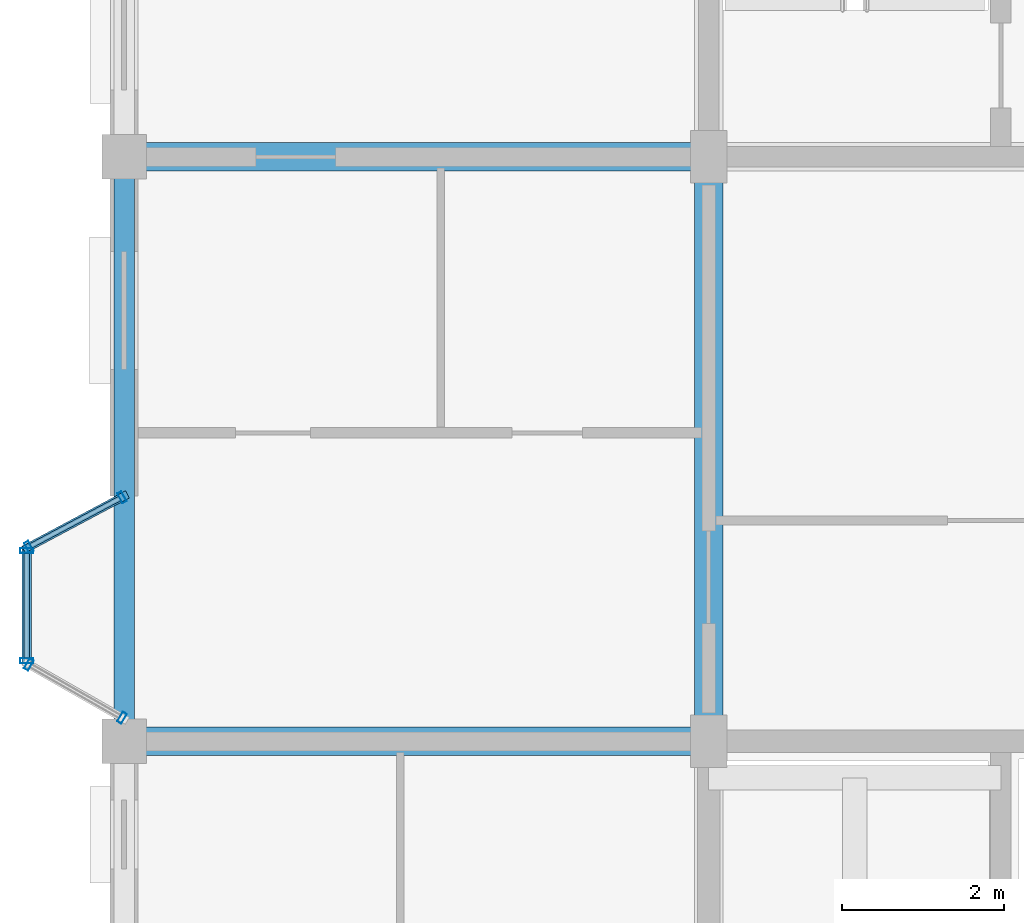
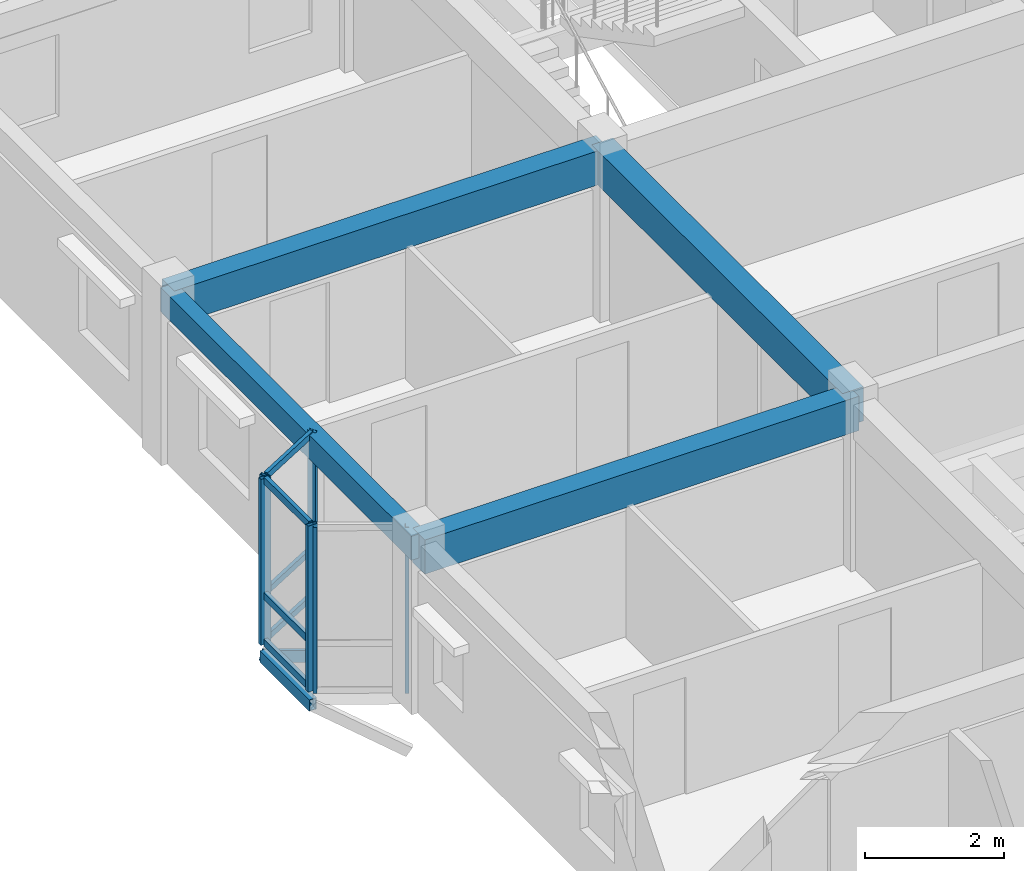
# One storey, part 17 of 75: 14 members, 4 beams, 3 elements without a shape of their own.
"""IFC4 building model written with IfcOpenShell, lengths in metres."""

from ifc_helpers import new_model, si_unit, direction, frame, origin, origin_2d, place, context, subcontext, project, spatial, rectangle, hollow_rectangle, extrude, material, layer, layer_set, material_profile, profile_set, type_object, element, aggregate, save


model = new_model("IFC4")

# Units and contexts
model_context = context("Model", 3, precision=1e-05, world=origin(), true_north=direction((0.0, 1.0)))
body_context = subcontext(model_context, "Body", "Model", "MODEL_VIEW")
ifc_project = project(units=[si_unit("LENGTHUNIT", "METRE"), si_unit("AREAUNIT", "SQUARE_METRE"), si_unit("VOLUMEUNIT", "CUBIC_METRE"), si_unit("PLANEANGLEUNIT", "RADIAN"), si_unit("MASSUNIT", "GRAM", prefix="KILO"), si_unit("THERMODYNAMICTEMPERATUREUNIT", "KELVIN"), si_unit("POWERUNIT", "WATT")], contexts=[model_context])

# Site, building, storey
site_placement = place(None, origin())
site = spatial("IfcSite", under=ifc_project, at=site_placement, CompositionType="ELEMENT")
building_placement = place(site_placement, origin())
building = spatial("IfcBuilding", under=site, at=building_placement, Name="Tavuni Mirador Residences", CompositionType="ELEMENT")
storey_placement = place(building_placement, frame((0.0, 0.0, 20.25)))
storey = spatial("IfcBuildingStorey", under=building, at=storey_placement, Name="L06", CompositionType="ELEMENT", Elevation=20.25)

# Beams
ifc_material_1 = material(Name="Precast concrete C40/50", Category="concrete")
ifc_material_profile_1 = material_profile(ifc_material_1, rectangle(XDim=0.35009765625, YDim=0.60009765625, at=origin_2d()), Name="PC 350x600", Category="concrete")
ifc_profile_set_1 = profile_set([ifc_material_profile_1], Name="Precast concrete C40/50")
beam_type_1 = type_object("IfcBeamType", Name="BT-B600", PredefinedType="BEAM", material=ifc_profile_set_1)
for number, where, z_axis, x_axis, name in (
    (1, (3.60009765625, 79.199951171875, 2.610107421875), (1.0, 0.0, 0.0), (0.0, 1.0, 0.0), "BMX-BLK-B-L06-00-02"),
    (2, (3.60009765625, 86.39990234375, 2.610107421875), (1.0, 0.0, 0.0), (0.0, 1.0, 0.0), "BMX-BLK-B-L06-00-03"),
    (3, (10.800048828125, 79.199951171875, 2.610107421875), (0.0, 1.0, 0.0), (-1.0, 0.0, 0.0), "BMY-BLK-B-L06-01-02"),
):
    element("IfcBeam", number, at=place(storey_placement, frame(where, z_axis=z_axis, x_axis=x_axis)), inside=storey, type_object=beam_type_1, Name=name, PredefinedType="BEAM", context=body_context, shape_type="SweptSolid", body=[
        extrude(rectangle(XDim=0.35009765625, YDim=0.60009765625, at=origin_2d()), origin(), (0.0, 0.0, 1.0), 7.199951171875),
    ])
ifc_material_profile_2 = material_profile(ifc_material_1, rectangle(XDim=0.25, YDim=0.419921875, at=origin_2d()), Name="PC 250x420", Category="concrete")
ifc_profile_set_2 = profile_set([ifc_material_profile_2], Name="Precast concrete C40/50")
beam_type_2 = type_object("IfcBeamType", Name="BT-SP420", PredefinedType="SPANDREL", material=ifc_profile_set_2)
beam_placement = place(storey_placement, frame((3.60009765625, 79.199951171875, 2.699951171875), z_axis=(0.0, 1.0, 0.0), x_axis=(-1.0, 0.0, 0.0)))
element("IfcBeam", 4, at=beam_placement, inside=storey, type_object=beam_type_2, Name="BMY-BLK-B-L06-00-02", PredefinedType="SPANDREL", context=body_context, shape_type="SweptSolid", body=[
    extrude(rectangle(XDim=0.25, YDim=0.419921875, at=origin_2d()), origin(), (0.0, 0.0, 1.0), 7.199951171875),
])

# Curtain wall, members
ifc_material_2 = material(Name="Anodised aluminium", Category="aluminium")
ifc_layer_1 = layer(ifc_material_2, 0.175048828125, Name="Anodised aluminium", Category="aluminium")
ifc_layer_set_1 = layer_set([ifc_layer_1], Name="Anodised aluminium")
curtain_wall_type_1 = type_object("IfcCurtainWallType", Name="CWT-MIR-C", PredefinedType="NOTDEFINED", material=ifc_layer_set_1)
curtain_wall_1_placement = place(storey_placement, origin())
curtain_wall_1 = element("IfcCurtainWall", 5, at=curtain_wall_1_placement, inside=storey, type_object=curtain_wall_type_1, Name="CW-MIR-B-W2-L06-M1", PredefinedType="NOTDEFINED")
ifc_material_profile_3 = material_profile(ifc_material_2, hollow_rectangle(XDim=0.06005859375, YDim=0.139892578125, WallThickness=0.00390625, at=origin_2d()), Name="ALU 60x140x4.0", Category="aluminium")
ifc_profile_set_3 = profile_set([ifc_material_profile_3], Name="Anodised aluminium")
member_type_1 = type_object("IfcMemberType", Name="CWM-140", PredefinedType="MULLION", material=ifc_profile_set_3)
member_1_placement = place(storey_placement, frame((3.573486328125, 82.205810546875, 0.0), z_axis=(0.0, 0.0, 1.0), x_axis=(-0.882352941175, -0.470588235296, 0.0)))
member_1 = element("IfcMember", 6, at=member_1_placement, type_object=member_type_1, Name="CW-03 mullion 1", PredefinedType="MULLION", context=body_context, shape_type="SweptSolid", body=[
    extrude(hollow_rectangle(XDim=0.06005859375, YDim=0.139892578125, WallThickness=0.00390625, at=origin_2d()), origin(), (0.0, 0.0, 1.0), 2.909912109375),
])
member_2_placement = place(storey_placement, frame((2.426513671875, 81.59423828125, 0.0), z_axis=(0.0, 0.0, 1.0), x_axis=(-0.882352941175, -0.470588235296, 0.0)))
member_2 = element("IfcMember", 7, at=member_2_placement, type_object=member_type_1, Name="CW-03 mullion 2", PredefinedType="MULLION", context=body_context, shape_type="SweptSolid", body=[
    extrude(hollow_rectangle(XDim=0.06005859375, YDim=0.139892578125, WallThickness=0.00390625, at=origin_2d()), origin(), (0.0, 0.0, 1.0), 2.909912109375),
])

ifc_layer_2 = layer(ifc_material_2, 0.1650390625, Name="Anodised aluminium", Category="aluminium")
ifc_layer_set_2 = layer_set([ifc_layer_2], Name="Anodised aluminium")
curtain_wall_type_2 = type_object("IfcCurtainWallType", Name="CWT-MIR-A", PredefinedType="NOTDEFINED", material=ifc_layer_set_2)
curtain_wall_2_placement = place(storey_placement, origin())
curtain_wall_2 = element("IfcCurtainWall", 8, at=curtain_wall_2_placement, inside=storey, type_object=curtain_wall_type_2, Name="CW-MIR-B-W2-L06-M2", PredefinedType="NOTDEFINED")
member_3_placement = place(storey_placement, frame((2.426025390625, 80.14501953125, 0.0), z_axis=(0.0, 0.0, 1.0), x_axis=(0.868465738194, -0.495749192217, 0.0)))
member_3 = element("IfcMember", 9, at=member_3_placement, type_object=member_type_1, Name="CW-01 mullion 1", PredefinedType="MULLION", context=body_context, shape_type="SweptSolid", body=[
    extrude(hollow_rectangle(XDim=0.06005859375, YDim=0.139892578125, WallThickness=0.00390625, at=origin_2d()), origin(), (0.0, 0.0, 1.0), 2.909912109375),
])
member_4_placement = place(storey_placement, frame((3.573974609375, 79.489990234375, 0.0), z_axis=(0.0, 0.0, 1.0), x_axis=(0.868465738194, -0.495749192217, 0.0)))
member_4 = element("IfcMember", 10, at=member_4_placement, type_object=member_type_1, Name="CW-01 mullion 2", PredefinedType="MULLION", context=body_context, shape_type="SweptSolid", body=[
    extrude(hollow_rectangle(XDim=0.06005859375, YDim=0.139892578125, WallThickness=0.00390625, at=origin_2d()), origin(), (0.0, 0.0, 1.0), 2.909912109375),
])
aggregate(curtain_wall_2, [member_3, member_4])

ifc_layer_3 = layer(ifc_material_2, 0.159912109375, Name="Anodised aluminium", Category="aluminium")
ifc_layer_set_3 = layer_set([ifc_layer_3], Name="Anodised aluminium")
curtain_wall_type_3 = type_object("IfcCurtainWallType", Name="CWT-MIR-D", PredefinedType="NOTDEFINED", material=ifc_layer_set_3)
curtain_wall_3_placement = place(storey_placement, origin())
curtain_wall_3 = element("IfcCurtainWall", 11, at=curtain_wall_3_placement, inside=storey, type_object=curtain_wall_type_3, Name="CW-MIR-B-W2-L06-MF", PredefinedType="NOTDEFINED")
ifc_material_profile_4 = material_profile(ifc_material_2, hollow_rectangle(XDim=0.06494140625, YDim=0.1650390625, WallThickness=0.00439453125, at=origin_2d()), Name="ALU 65x165x4.5", Category="aluminium")
ifc_profile_set_4 = profile_set([ifc_material_profile_4], Name="Anodised aluminium")
member_type_2 = type_object("IfcMemberType", Name="CWM-165", PredefinedType="MULLION", material=ifc_profile_set_4)
member_5_placement = place(storey_placement, frame((2.39990234375, 81.547607421875, 0.0), z_axis=(0.0, 0.0, 1.0), x_axis=(0.0, -1.0, 0.0)))
member_5 = element("IfcMember", 12, at=member_5_placement, type_object=member_type_2, Name="CW-04 mullion 1", PredefinedType="MULLION", context=body_context, shape_type="SweptSolid", body=[
    extrude(hollow_rectangle(XDim=0.06494140625, YDim=0.1650390625, WallThickness=0.00439453125, at=origin_2d()), origin(), (0.0, 0.0, 1.0), 2.909912109375),
])
member_6_placement = place(storey_placement, frame((2.39990234375, 80.1923828125, 0.0), z_axis=(0.0, 0.0, 1.0), x_axis=(0.0, -1.0, 0.0)))
member_6 = element("IfcMember", 13, at=member_6_placement, type_object=member_type_2, Name="CW-04 mullion 2", PredefinedType="MULLION", context=body_context, shape_type="SweptSolid", body=[
    extrude(hollow_rectangle(XDim=0.06494140625, YDim=0.1650390625, WallThickness=0.00439453125, at=origin_2d()), origin(), (0.0, 0.0, 1.0), 2.909912109375),
])

# Member
ifc_material_profile_5 = material_profile(ifc_material_2, hollow_rectangle(XDim=0.06005859375, YDim=0.110107421875, WallThickness=0.00390625, at=origin_2d()), Name="ALU 60x110x4.0", Category="aluminium")
ifc_profile_set_5 = profile_set([ifc_material_profile_5], Name="Anodised aluminium")
member_type_3 = type_object("IfcMemberType", Name="CWT-110", PredefinedType="USERDEFINED", material=ifc_profile_set_5)
member_7_placement = place(storey_placement, frame((3.547119140625, 82.191650390625, 0.030029296875), z_axis=(-0.882385637708, -0.470526924168, 0.0), x_axis=(0.470526924168, -0.882385637708, 0.0)))
member_7 = element("IfcMember", 14, at=member_7_placement, type_object=member_type_3, Name="CW-03 transom 1.1", ObjectType="TRANSOM", PredefinedType="USERDEFINED", context=body_context, shape_type="SweptSolid", body=[
    extrude(hollow_rectangle(XDim=0.06005859375, YDim=0.110107421875, WallThickness=0.00390625, at=origin_2d()), origin(), (0.0, 0.0, 1.0), 1.239990234375),
])

member_8_placement = place(storey_placement, frame((3.547119140625, 82.191650390625, 0.85009765625), z_axis=(-0.882385637708, -0.470526924168, 0.0), x_axis=(0.470526924168, -0.882385637708, 0.0)))
member_8 = element("IfcMember", 15, at=member_8_placement, type_object=member_type_3, Name="CW-03 transom 1.2", ObjectType="TRANSOM", PredefinedType="USERDEFINED", context=body_context, shape_type="SweptSolid", body=[
    extrude(hollow_rectangle(XDim=0.06005859375, YDim=0.110107421875, WallThickness=0.00390625, at=origin_2d()), origin(), (0.0, 0.0, 1.0), 1.239990234375),
])

member_9_placement = place(storey_placement, frame((3.547119140625, 82.191650390625, 2.8798828125), z_axis=(-0.882385637708, -0.470526924168, 0.0), x_axis=(0.470526924168, -0.882385637708, 0.0)))
member_9 = element("IfcMember", 16, at=member_9_placement, type_object=member_type_3, Name="CW-03 transom 1.3", ObjectType="TRANSOM", PredefinedType="USERDEFINED", context=body_context, shape_type="SweptSolid", body=[
    extrude(hollow_rectangle(XDim=0.06005859375, YDim=0.110107421875, WallThickness=0.00390625, at=origin_2d()), origin(), (0.0, 0.0, 1.0), 1.239990234375),
])

aggregate(curtain_wall_1, [member_1, member_2, member_7, member_8, member_9])

ifc_material_profile_6 = material_profile(ifc_material_2, hollow_rectangle(XDim=0.06494140625, YDim=0.125, WallThickness=0.00439453125, at=origin_2d()), Name="ALU 65x125x4.5", Category="aluminium")
ifc_profile_set_6 = profile_set([ifc_material_profile_6], Name="Anodised aluminium")
member_type_4 = type_object("IfcMemberType", Name="CWT-125", PredefinedType="USERDEFINED", material=ifc_profile_set_6)
member_10_placement = place(storey_placement, frame((2.39990234375, 81.514892578125, 0.032470703125), z_axis=(0.0, -1.0, 0.0), x_axis=(1.0, 0.0, 0.0)))
member_10 = element("IfcMember", 17, at=member_10_placement, type_object=member_type_4, Name="CW-04 transom 1.1", ObjectType="TRANSOM", PredefinedType="USERDEFINED", context=body_context, shape_type="SweptSolid", body=[
    extrude(hollow_rectangle(XDim=0.06494140625, YDim=0.125, WallThickness=0.00439453125, at=origin_2d()), origin(), (0.0, 0.0, 1.0), 1.289794921875),
])

member_11_placement = place(storey_placement, frame((2.39990234375, 81.514892578125, 0.85009765625), z_axis=(0.0, -1.0, 0.0), x_axis=(1.0, 0.0, 0.0)))
member_11 = element("IfcMember", 18, at=member_11_placement, type_object=member_type_4, Name="CW-04 transom 1.2", ObjectType="TRANSOM", PredefinedType="USERDEFINED", context=body_context, shape_type="SweptSolid", body=[
    extrude(hollow_rectangle(XDim=0.06494140625, YDim=0.125, WallThickness=0.00439453125, at=origin_2d()), origin(), (0.0, 0.0, 1.0), 1.289794921875),
])

member_12_placement = place(storey_placement, frame((2.39990234375, 81.514892578125, 2.87744140625), z_axis=(0.0, -1.0, 0.0), x_axis=(1.0, 0.0, 0.0)))
member_12 = element("IfcMember", 19, at=member_12_placement, type_object=member_type_4, Name="CW-04 transom 1.3", ObjectType="TRANSOM", PredefinedType="USERDEFINED", context=body_context, shape_type="SweptSolid", body=[
    extrude(hollow_rectangle(XDim=0.06494140625, YDim=0.125, WallThickness=0.00439453125, at=origin_2d()), origin(), (0.0, 0.0, 1.0), 1.289794921875),
])

aggregate(curtain_wall_3, [member_5, member_6, member_10, member_11, member_12])

# Members
ifc_material_3 = material(Name="Structural steel S355", Category="steel")
ifc_material_profile_7 = material_profile(ifc_material_3, hollow_rectangle(XDim=0.10009765625, YDim=0.179931640625, WallThickness=0.008056640625, at=origin_2d()), Name="RHS 180x100x8.0", Category="steel")
ifc_profile_set_7 = profile_set([ifc_material_profile_7], Name="Structural steel S355")
member_type_5 = type_object("IfcMemberType", Name="MT-BR-RHS180", PredefinedType="BRACE", material=ifc_profile_set_7)
member_13_placement = place(storey_placement, frame((3.60009765625, 82.219970703125, -1.050048828125), z_axis=(-0.758141823808, -0.404208649349, 0.511699465296), x_axis=(0.470467115558, -0.882417527692, 0.0)))
element("IfcMember", 20, at=member_13_placement, inside=storey, type_object=member_type_5, Name="MBRK-MIR-B-W2-L06-2", PredefinedType="BRACE", context=body_context, shape_type="SweptSolid", body=[
    extrude(hollow_rectangle(XDim=0.10009765625, YDim=0.179931640625, WallThickness=0.008056640625, at=origin_2d()), origin(), (0.0, 0.0, 1.0), 1.5830078125),
])
ifc_material_profile_8 = material_profile(ifc_material_3, hollow_rectangle(XDim=0.1201171875, YDim=0.199951171875, WallThickness=0.010009765625, at=origin_2d()), Name="RHS 200x120x10.0", Category="steel")
ifc_profile_set_8 = profile_set([ifc_material_profile_8], Name="Structural steel S355")
member_type_6 = type_object("IfcMemberType", Name="MT-ST-RHS200", PredefinedType="STRUT", material=ifc_profile_set_8)
member_14_placement = place(storey_placement, frame((2.39990234375, 80.159912109375, -0.239990234375), z_axis=(0.0, 1.0, 0.0), x_axis=(-1.0, 0.0, 0.0)))
element("IfcMember", 21, at=member_14_placement, inside=storey, type_object=member_type_6, Name="MRIM-MIR-B-W2-L06", PredefinedType="STRUT", context=body_context, shape_type="SweptSolid", body=[
    extrude(hollow_rectangle(XDim=0.1201171875, YDim=0.199951171875, WallThickness=0.010009765625, at=origin_2d()), origin(), (0.0, 0.0, 1.0), 1.420166015625),
])

save(model, "model.ifc")
